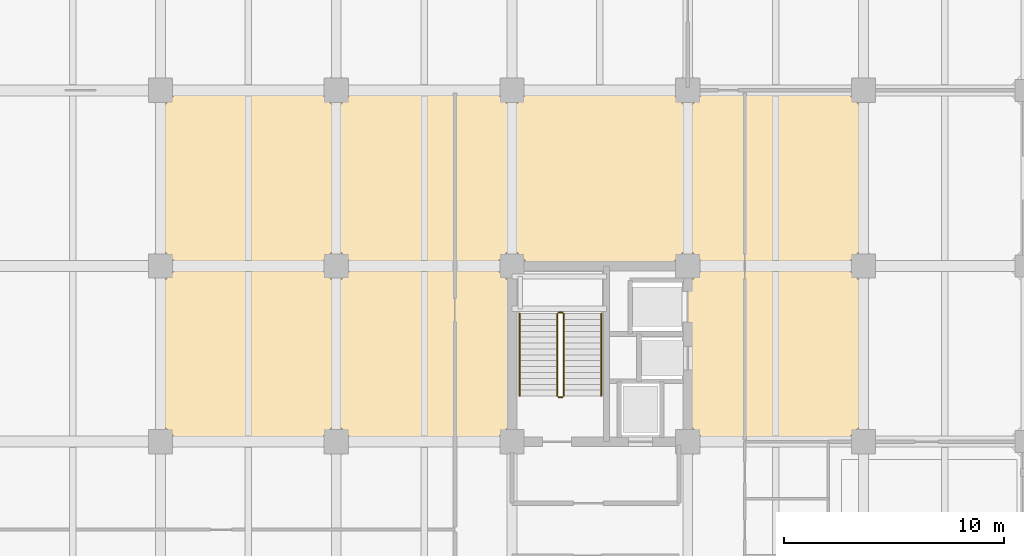
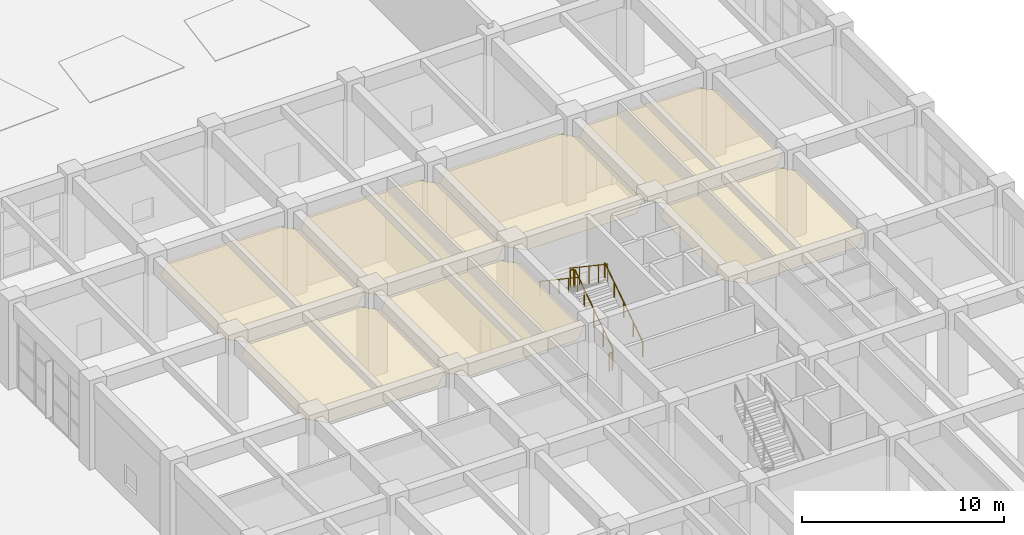
# One storey, part 88 of 90: 7 coverings, 6 railings.
"""IFC4 building model written with IfcOpenShell, lengths in metres."""

from ifc_helpers import new_model, si_unit, direction, frame, origin, origin_2d, place, context, subcontext, project, spatial, polyline, circle, outline, extrude, material, layer, layer_set, type_object, element, save


model = new_model("IFC4")

# Units and contexts
model_context = context("Model", 3, precision=1e-05, world=origin(), true_north=direction((0.0, 1.0)))
body_context = subcontext(model_context, "Body", "Model", "MODEL_VIEW")
ifc_project = project(units=[si_unit("LENGTHUNIT", "METRE"), si_unit("AREAUNIT", "SQUARE_METRE"), si_unit("VOLUMEUNIT", "CUBIC_METRE"), si_unit("PLANEANGLEUNIT", "RADIAN"), si_unit("MASSUNIT", "GRAM", prefix="KILO")], contexts=[model_context])

# Site, building, storey
site_placement = place(None, origin())
site = spatial("IfcSite", under=ifc_project, at=site_placement, CompositionType="ELEMENT")
building_placement = place(site_placement, origin())
building = spatial("IfcBuilding", under=site, at=building_placement, Name="Canggui Botanical Conservatory", CompositionType="ELEMENT")
storey_placement = place(building_placement, origin())
storey = spatial("IfcBuildingStorey", under=building, at=storey_placement, Name="L01", CompositionType="ELEMENT", Elevation=0.0)

# Coverings
ifc_material_1 = material(Name="Mineral Fibre Acoustic Board")
ifc_layer_1 = layer(ifc_material_1, 0.014892578125, Name="Mineral Fibre Acoustic Board")
ifc_layer_set_1 = layer_set([ifc_layer_1], Name="Mineral Fibre Acoustic Board")
covering_type_1 = type_object("IfcCoveringType", Name="COV-CEIL-15", PredefinedType="CEILING", material=ifc_layer_set_1)
covering_1_placement = place(storey_placement, frame((0.0, 0.0, 4.155029296875)))
element("IfcCovering", 1, at=covering_1_placement, inside=storey, type_object=covering_type_1, Name="Suspended Acoustic Ceiling L01-138-66", PredefinedType="CEILING", context=body_context, shape_type="SweptSolid", body=[
    extrude(outline(polyline([(138.85009765625, 66.0), (145.14990234375, 66.0), (146.0, 66.85009765625), (146.0, 73.14990234375), (145.14990234375, 74.0), (138.85009765625, 74.0), (138.0, 73.14990234375), (138.0, 66.85009765625), (138.85009765625, 66.0)])), origin(), (0.0, 0.0, 1.0), 0.014892578125),
])
covering_2_placement = place(storey_placement, frame((0.0, 0.0, 4.155029296875)))
element("IfcCovering", 2, at=covering_2_placement, inside=storey, type_object=covering_type_1, Name="Suspended Acoustic Ceiling L01-146-58", PredefinedType="CEILING", context=body_context, shape_type="SweptSolid", body=[
    extrude(outline(polyline([(146.85009765625, 58.0), (153.14990234375, 58.0), (154.0, 58.85009765625), (154.0, 65.14990234375), (153.14990234375, 66.0), (146.85009765625, 66.0), (146.0, 65.14990234375), (146.0, 58.85009765625), (146.85009765625, 58.0)])), origin(), (0.0, 0.0, 1.0), 0.014892578125),
])
covering_3_placement = place(storey_placement, frame((0.0, 0.0, 4.155029296875)))
element("IfcCovering", 3, at=covering_3_placement, inside=storey, type_object=covering_type_1, Name="Suspended Acoustic Ceiling L01-154-66", PredefinedType="CEILING", context=body_context, shape_type="SweptSolid", body=[
    extrude(outline(polyline([(154.85009765625, 66.0), (161.14990234375, 66.0), (162.0, 66.85009765625), (162.0, 73.14990234375), (161.14990234375, 74.0), (154.85009765625, 74.0), (154.0, 73.14990234375), (154.0, 66.85009765625), (154.85009765625, 66.0)])), origin(), (0.0, 0.0, 1.0), 0.014892578125),
])
covering_4_placement = place(storey_placement, frame((0.0, 0.0, 4.155029296875)))
element("IfcCovering", 4, at=covering_4_placement, inside=storey, type_object=covering_type_1, Name="Suspended Acoustic Ceiling L01-162-58", PredefinedType="CEILING", context=body_context, shape_type="SweptSolid", body=[
    extrude(outline(polyline([(162.85009765625, 58.0), (169.14990234375, 58.0), (170.0, 58.85009765625), (170.0, 65.14990234375), (169.14990234375, 66.0), (162.85009765625, 66.0), (162.0, 65.14990234375), (162.0, 58.85009765625), (162.85009765625, 58.0)])), origin(), (0.0, 0.0, 1.0), 0.014892578125),
])
ifc_material_2 = material(Name="Perforated Gypsum Acoustic Panel")
ifc_layer_2 = layer(ifc_material_2, 0.02001953125, Name="Perforated Gypsum Acoustic Panel")
ifc_layer_set_2 = layer_set([ifc_layer_2], Name="Perforated Gypsum Acoustic Panel")
covering_type_2 = type_object("IfcCoveringType", Name="COV-CEIL-20", PredefinedType="CEILING", material=ifc_layer_set_2)
covering_5_placement = place(storey_placement, frame((0.0, 0.0, 4.14990234375)))
element("IfcCovering", 5, at=covering_5_placement, inside=storey, type_object=covering_type_2, Name="Suspended Acoustic Ceiling L01-138-58", PredefinedType="CEILING", context=body_context, shape_type="SweptSolid", body=[
    extrude(outline(polyline([(138.85009765625, 58.0), (145.14990234375, 58.0), (146.0, 58.85009765625), (146.0, 65.14990234375), (145.14990234375, 66.0), (138.85009765625, 66.0), (138.0, 65.14990234375), (138.0, 58.85009765625), (138.85009765625, 58.0)])), origin(), (0.0, 0.0, 1.0), 0.02001953125),
])
covering_6_placement = place(storey_placement, frame((0.0, 0.0, 4.14990234375)))
element("IfcCovering", 6, at=covering_6_placement, inside=storey, type_object=covering_type_2, Name="Suspended Acoustic Ceiling L01-146-66", PredefinedType="CEILING", context=body_context, shape_type="SweptSolid", body=[
    extrude(outline(polyline([(146.85009765625, 66.0), (153.14990234375, 66.0), (154.0, 66.85009765625), (154.0, 73.14990234375), (153.14990234375, 74.0), (146.85009765625, 74.0), (146.0, 73.14990234375), (146.0, 66.85009765625), (146.85009765625, 66.0)])), origin(), (0.0, 0.0, 1.0), 0.02001953125),
])
covering_7_placement = place(storey_placement, frame((0.0, 0.0, 4.14990234375)))
element("IfcCovering", 7, at=covering_7_placement, inside=storey, type_object=covering_type_2, Name="Suspended Acoustic Ceiling L01-162-66", PredefinedType="CEILING", context=body_context, shape_type="SweptSolid", body=[
    extrude(outline(polyline([(162.85009765625, 66.0), (169.14990234375, 66.0), (170.0, 66.85009765625), (170.0, 73.14990234375), (169.14990234375, 74.0), (162.85009765625, 74.0), (162.0, 73.14990234375), (162.0, 66.85009765625), (162.85009765625, 66.0)])), origin(), (0.0, 0.0, 1.0), 0.02001953125),
])

# Railings
ifc_material_3 = material(Name="Stainless Steel 304", Category="steel")
railing_type_1 = type_object("IfcRailingType", Name="RAIL-GUARD-1100", PredefinedType="BALUSTRADE", material=ifc_material_3)
railing_1_placement = place(storey_placement, frame((156.35009765625, 60.080078125, 0.179931640625)))
element("IfcRailing", 8, at=railing_1_placement, inside=storey, type_object=railing_type_1, Name="L01 ST-T2 stair guard 1", PredefinedType="BALUSTRADE", context=body_context, shape_type="SweptSolid", body=[
    extrude(circle(Radius=0.02392578125, at=origin_2d()), frame((0.0, 0.0, 1.076171875), z_axis=(0.0, 0.830133982261, 0.557563961797), x_axis=(-1.0, 0.0, 0.0)), (0.0, 0.0, 1.0), 4.519775390625),
    extrude(circle(Radius=0.02099609375, at=origin_2d()), origin(), (0.0, 0.0, 1.0), 1.052001953125),
    extrude(circle(Radius=0.02099609375, at=origin_2d()), frame((0.0, 0.93798828125, 0.6298828125)), (0.0, 0.0, 1.0), 1.052001953125),
    extrude(circle(Radius=0.02099609375, at=origin_2d()), frame((0.0, 1.8759765625, 1.260009765625)), (0.0, 0.0, 1.0), 1.052001953125),
    extrude(circle(Radius=0.02099609375, at=origin_2d()), frame((0.0, 2.81396484375, 1.89013671875)), (0.0, 0.0, 1.0), 1.052001953125),
    extrude(circle(Radius=0.02099609375, at=origin_2d()), frame((0.0, 3.751953125, 2.52001953125)), (0.0, 0.0, 1.0), 1.052001953125),
])
railing_2_placement = place(storey_placement, frame((156.300048828125, 63.882080078125, 2.699951171875)))
element("IfcRailing", 9, at=railing_2_placement, inside=storey, type_object=railing_type_1, Name="L01 ST-T2 stair guard 2", PredefinedType="BALUSTRADE", context=body_context, shape_type="SweptSolid", body=[
    extrude(circle(Radius=0.02392578125, at=origin_2d()), frame((0.0, 0.0, 1.076171875), z_axis=(-1.0, 0.0, 0.0), x_axis=(0.0, -1.0, 0.0)), (0.0, 0.0, 1.0), 0.179931640625),
    extrude(circle(Radius=0.02099609375, at=origin_2d()), origin(), (0.0, 0.0, 1.0), 1.052001953125),
    extrude(circle(Radius=0.02099609375, at=origin_2d()), frame((-0.179931640625, 0.0, 0.0)), (0.0, 0.0, 1.0), 1.052001953125),
])
railing_3_placement = place(storey_placement, frame((156.070068359375, 63.83203125, 2.8798828125)))
element("IfcRailing", 10, at=railing_3_placement, inside=storey, type_object=railing_type_1, Name="L01 ST-T2 stair guard 3", PredefinedType="BALUSTRADE", context=body_context, shape_type="SweptSolid", body=[
    extrude(circle(Radius=0.02392578125, at=origin_2d()), frame((0.0, 0.0, 1.076171875), z_axis=(0.0, -0.830133982261, 0.557563961797), x_axis=(1.0, 0.0, 0.0)), (0.0, 0.0, 1.0), 4.519775390625),
    extrude(circle(Radius=0.02099609375, at=origin_2d()), origin(), (0.0, 0.0, 1.0), 1.052001953125),
    extrude(circle(Radius=0.02099609375, at=origin_2d()), frame((0.0, -0.93798828125, 0.6298828125)), (0.0, 0.0, 1.0), 1.052001953125),
    extrude(circle(Radius=0.02099609375, at=origin_2d()), frame((0.0, -1.8759765625, 1.260009765625)), (0.0, 0.0, 1.0), 1.052001953125),
    extrude(circle(Radius=0.02099609375, at=origin_2d()), frame((0.0, -2.81396484375, 1.89013671875)), (0.0, 0.0, 1.0), 1.052001953125),
    extrude(circle(Radius=0.02099609375, at=origin_2d()), frame((0.0, -3.751953125, 2.52001953125)), (0.0, 0.0, 1.0), 1.052001953125),
])
railing_4_placement = place(storey_placement, frame((156.300048828125, 60.030029296875, 0.0)))
element("IfcRailing", 11, at=railing_4_placement, inside=storey, type_object=railing_type_1, Name="L01 ST-T2 stair guard 4", PredefinedType="BALUSTRADE", context=body_context, shape_type="SweptSolid", body=[
    extrude(circle(Radius=0.02392578125, at=origin_2d()), frame((0.0, 0.0, 1.076171875), z_axis=(-1.0, 0.0, 0.0), x_axis=(0.0, -1.0, 0.0)), (0.0, 0.0, 1.0), 0.179931640625),
    extrude(circle(Radius=0.02099609375, at=origin_2d()), origin(), (0.0, 0.0, 1.0), 1.052001953125),
    extrude(circle(Radius=0.02099609375, at=origin_2d()), frame((-0.179931640625, 0.0, 0.0)), (0.0, 0.0, 1.0), 1.052001953125),
])
railing_type_2 = type_object("IfcRailingType", Name="RAIL-HAND-900", PredefinedType="HANDRAIL", material=ifc_material_3)
railing_5_placement = place(storey_placement, frame((158.070068359375, 60.080078125, 0.179931640625)))
element("IfcRailing", 12, at=railing_5_placement, inside=storey, type_object=railing_type_2, Name="L01 ST-T2 stair handrail 1", PredefinedType="HANDRAIL", context=body_context, shape_type="SweptSolid", body=[
    extrude(circle(Radius=0.02392578125, at=origin_2d()), frame((0.0, 0.0, 0.8759765625), z_axis=(0.0, 0.830133982261, 0.557563961797), x_axis=(-1.0, 0.0, 0.0)), (0.0, 0.0, 1.0), 4.519775390625),
    extrude(circle(Radius=0.02099609375, at=origin_2d()), origin(), (0.0, 0.0, 1.0), 0.851806640625),
    extrude(circle(Radius=0.02099609375, at=origin_2d()), frame((0.0, 0.93798828125, 0.6298828125)), (0.0, 0.0, 1.0), 0.851806640625),
    extrude(circle(Radius=0.02099609375, at=origin_2d()), frame((0.0, 1.8759765625, 1.260009765625)), (0.0, 0.0, 1.0), 0.851806640625),
    extrude(circle(Radius=0.02099609375, at=origin_2d()), frame((0.0, 2.81396484375, 1.89013671875)), (0.0, 0.0, 1.0), 0.851806640625),
    extrude(circle(Radius=0.02099609375, at=origin_2d()), frame((0.0, 3.751953125, 2.52001953125)), (0.0, 0.0, 1.0), 0.851806640625),
])
railing_6_placement = place(storey_placement, frame((154.35009765625, 63.83203125, 2.8798828125)))
element("IfcRailing", 13, at=railing_6_placement, inside=storey, type_object=railing_type_2, Name="L01 ST-T2 stair handrail 2", PredefinedType="HANDRAIL", context=body_context, shape_type="SweptSolid", body=[
    extrude(circle(Radius=0.02392578125, at=origin_2d()), frame((0.0, 0.0, 0.8759765625), z_axis=(0.0, -0.830133982261, 0.557563961797), x_axis=(1.0, 0.0, 0.0)), (0.0, 0.0, 1.0), 4.519775390625),
    extrude(circle(Radius=0.02099609375, at=origin_2d()), origin(), (0.0, 0.0, 1.0), 0.851806640625),
    extrude(circle(Radius=0.02099609375, at=origin_2d()), frame((0.0, -0.93798828125, 0.6298828125)), (0.0, 0.0, 1.0), 0.851806640625),
    extrude(circle(Radius=0.02099609375, at=origin_2d()), frame((0.0, -1.8759765625, 1.260009765625)), (0.0, 0.0, 1.0), 0.851806640625),
    extrude(circle(Radius=0.02099609375, at=origin_2d()), frame((0.0, -2.81396484375, 1.89013671875)), (0.0, 0.0, 1.0), 0.851806640625),
    extrude(circle(Radius=0.02099609375, at=origin_2d()), frame((0.0, -3.751953125, 2.52001953125)), (0.0, 0.0, 1.0), 0.851806640625),
])

save(model, "model.ifc")
